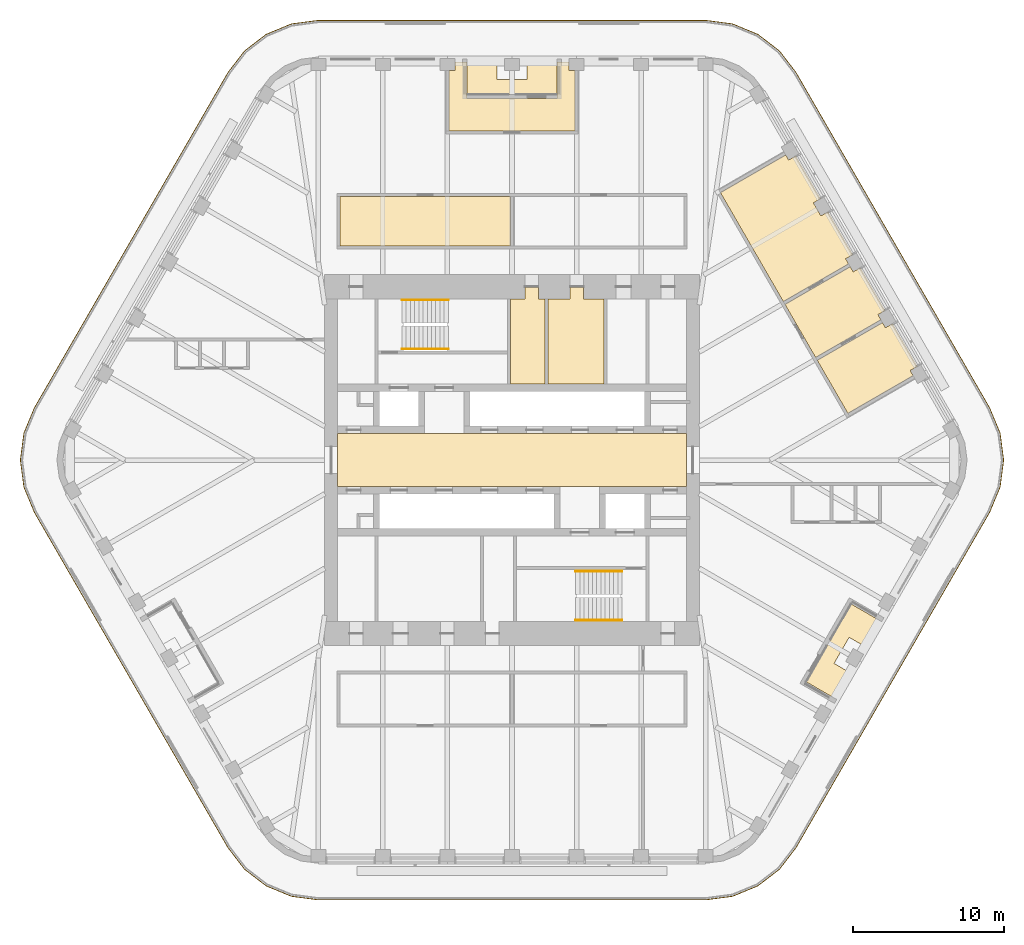
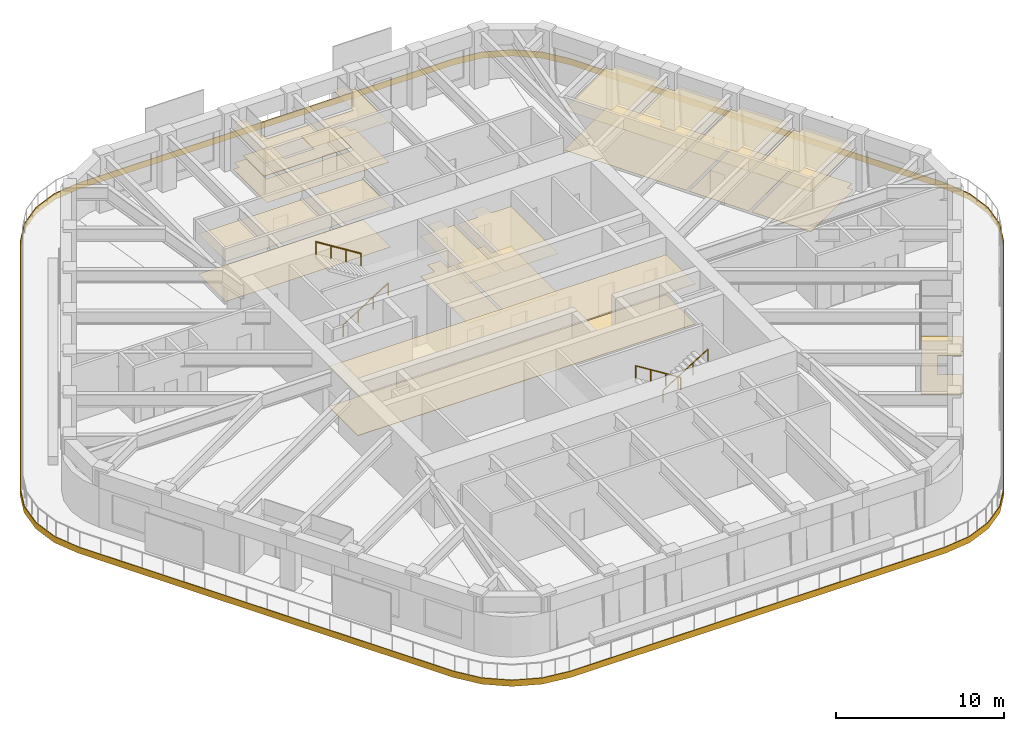
# One storey, part 18 of 19: 11 coverings, 4 railings.
"""IFC4 building model written with IfcOpenShell, lengths in metres."""

from ifc_helpers import new_model, si_unit, direction, frame, origin, origin_2d, place, context, subcontext, project, spatial, polyline, circle, outline, extrude, material, layer, layer_set, type_object, element, save


model = new_model("IFC4")

# Units and contexts
model_context = context("Model", 3, precision=1e-05, world=origin(), true_north=direction((0.0, 1.0)))
body_context = subcontext(model_context, "Body", "Model", "MODEL_VIEW")
ifc_project = project(units=[si_unit("LENGTHUNIT", "METRE"), si_unit("AREAUNIT", "SQUARE_METRE"), si_unit("VOLUMEUNIT", "CUBIC_METRE"), si_unit("PLANEANGLEUNIT", "RADIAN"), si_unit("MASSUNIT", "GRAM", prefix="KILO")], contexts=[model_context])

# Site, building, storey
site_placement = place(None, origin())
site = spatial("IfcSite", under=ifc_project, at=site_placement, CompositionType="ELEMENT")
building_placement = place(site_placement, origin())
building = spatial("IfcBuilding", under=site, at=building_placement, Name="Tarfa Lantern Tower", CompositionType="ELEMENT")
storey_placement = place(building_placement, frame((0.0, 0.0, 345.10009765625)))
storey = spatial("IfcBuildingStorey", under=building, at=storey_placement, Name="L78", CompositionType="ELEMENT", Elevation=345.10009765625)

# Coverings
ifc_material_1 = material(Name="Mineral fibre acoustic tile on suspension grid", Category="finish")
ifc_layer_1 = layer(ifc_material_1, 0.02001953125)
ifc_layer_set_1 = layer_set([ifc_layer_1], Name="CL1 ACOUSTIC TILE CEILING 20")
covering_type_1 = type_object("IfcCoveringType", Name="CL1 ACOUSTIC TILE CEILING 20", PredefinedType="CEILING", material=ifc_layer_set_1)
covering_1_placement = place(storey_placement, frame((0.0, 0.0, 2.89990234375)))
element("IfcCovering", 1, at=covering_1_placement, inside=storey, type_object=covering_type_1, Name="Ceiling L78 CL1", PredefinedType="CEILING", context=body_context, shape_type="SweptSolid", body=[
    extrude(outline(polyline([(18.106689453125, 10.33837890625), (22.436767578125, 12.83837890625), (22.63671875, 12.491943359375), (23.113037109375, 12.76708984375), (24.754150390625, 9.924560546875), (24.27783203125, 9.649658203125), (24.477783203125, 9.30322265625), (20.147705078125, 6.80322265625), (18.106689453125, 10.33837890625)])), origin(), (0.0, 0.0, 1.0), 0.02001953125),
    extrude(outline(polyline([(13.82470703125, 17.755126953125), (18.15478515625, 20.255126953125), (18.354736328125, 19.90869140625), (18.8310546875, 20.18359375), (20.47216796875, 17.34130859375), (19.995849609375, 17.06640625), (20.495849609375, 16.200439453125), (20.97216796875, 16.475341796875), (22.613037109375, 13.633056640625), (22.13671875, 13.35791015625), (22.336669921875, 13.01171875), (18.006591796875, 10.51171875), (13.82470703125, 17.755126953125)])), origin(), (0.0, 0.0, 1.0), 0.02001953125),
    extrude(outline(polyline([(-11.39990234375, 17.5), (-0.10009765625, 17.5), (-0.10009765625, 14.199951171875), (-11.39990234375, 14.199951171875), (-11.39990234375, 17.5)])), origin(), (0.0, 0.0, 1.0), 0.02001953125),
    extrude(outline(polyline([(4.18212890625, 21.85009765625), (-4.18212890625, 21.85009765625), (-4.18212890625, 25.85009765625), (-3.781982421875, 25.85009765625), (-3.781982421875, 26.39990234375), (-2.98193359375, 26.39990234375), (-2.98193359375, 24.0), (2.98193359375, 24.0), (2.98193359375, 26.39990234375), (3.781982421875, 26.39990234375), (3.781982421875, 25.85009765625), (4.18212890625, 25.85009765625), (4.18212890625, 21.85009765625)])), origin(), (0.0, 0.0, 1.0), 0.02001953125),
    extrude(outline(polyline([(20.24755859375, 6.630126953125), (24.577880859375, 9.130126953125), (24.77783203125, 8.78369140625), (25.254150390625, 9.05859375), (26.89501953125, 6.21630859375), (26.418701171875, 5.94140625), (26.61865234375, 5.594970703125), (22.28857421875, 3.094970703125), (20.24755859375, 6.630126953125)])), origin(), (0.0, 0.0, 1.0), 0.02001953125),
])
ifc_material_2 = material(Name="Moisture-resistant plasterboard", Category="finish")
ifc_layer_2 = layer(ifc_material_2, 0.014892578125)
ifc_layer_set_2 = layer_set([ifc_layer_2], Name="CL2 MOISTURE-RESISTANT PLASTERBOARD CEILING 15")
covering_type_2 = type_object("IfcCoveringType", Name="CL2 MOISTURE-RESISTANT PLASTERBOARD CEILING 15", PredefinedType="CEILING", material=ifc_layer_set_2)
covering_2_placement = place(storey_placement, frame((0.0, 0.0, 2.89990234375)))
element("IfcCovering", 2, at=covering_2_placement, inside=storey, type_object=covering_type_2, Name="Ceiling L78-05", PredefinedType="CEILING", context=body_context, shape_type="SweptSolid", body=[
    extrude(outline(polyline([(0.85009765625, 10.699951171875), (-0.10009765625, 10.699951171875), (-0.10009765625, 5.050048828125), (2.199951171875, 5.050048828125), (2.199951171875, 10.699951171875), (1.75, 10.699951171875), (1.75, 11.5), (0.85009765625, 11.5), (0.85009765625, 10.699951171875)])), origin(), (0.0, 0.0, 1.0), 0.014892578125),
])
covering_3_placement = place(storey_placement, frame((0.0, 0.0, 2.89990234375)))
element("IfcCovering", 3, at=covering_3_placement, inside=storey, type_object=covering_type_2, Name="Ceiling L78-06", PredefinedType="CEILING", context=body_context, shape_type="SweptSolid", body=[
    extrude(outline(polyline([(2.39990234375, 5.050048828125), (6.10009765625, 5.050048828125), (6.10009765625, 10.699951171875), (4.75, 10.699951171875), (4.75, 11.5), (3.85009765625, 11.5), (3.85009765625, 10.699951171875), (2.39990234375, 10.699951171875), (2.39990234375, 5.050048828125)])), origin(), (0.0, 0.0, 1.0), 0.014892578125),
])
ifc_material_3 = material(Name="Powder-coated aluminium panel", Category="aluminium")
ifc_layer_3 = layer(ifc_material_3, 0.030029296875)
ifc_layer_set_3 = layer_set([ifc_layer_3], Name="CL3 METAL PANEL CEILING 30")
covering_type_3 = type_object("IfcCoveringType", Name="CL3 METAL PANEL CEILING 30", PredefinedType="CEILING", material=ifc_layer_set_3)
covering_4_placement = place(storey_placement, frame((0.0, 0.0, 2.89990234375)))
element("IfcCovering", 4, at=covering_4_placement, inside=storey, type_object=covering_type_3, Name="Ceiling L78-01", PredefinedType="CEILING", context=body_context, shape_type="SweptSolid", body=[
    extrude(outline(polyline([(-11.574951171875, -1.75), (11.574951171875, -1.75), (11.574951171875, 1.75), (-11.574951171875, 1.75), (-11.574951171875, -1.75)])), origin(), (0.0, 0.0, 1.0), 0.030029296875),
])
ifc_material_4 = material(Name="Nylon carpet tile", Category="finish")
ifc_layer_4 = layer(ifc_material_4, 0.010009765625)
ifc_layer_set_4 = layer_set([ifc_layer_4], Name="FL1 CARPET TILE 10")
covering_type_4 = type_object("IfcCoveringType", Name="FL1 CARPET TILE 10", PredefinedType="FLOORING", material=ifc_layer_set_4)
covering_5_placement = place(storey_placement, origin())
element("IfcCovering", 5, at=covering_5_placement, inside=storey, type_object=covering_type_4, Name="Floor finish L78 FL1", PredefinedType="FLOORING", context=body_context, shape_type="SweptSolid", body=[
    extrude(outline(polyline([(18.106689453125, 10.33837890625), (22.436767578125, 12.83837890625), (22.63671875, 12.491943359375), (23.113037109375, 12.76708984375), (24.754150390625, 9.924560546875), (24.27783203125, 9.649658203125), (24.477783203125, 9.30322265625), (20.147705078125, 6.80322265625), (18.106689453125, 10.33837890625)])), origin(), (0.0, 0.0, 1.0), 0.010009765625),
    extrude(outline(polyline([(13.82470703125, 17.755126953125), (18.15478515625, 20.255126953125), (18.354736328125, 19.90869140625), (18.8310546875, 20.18359375), (20.47216796875, 17.34130859375), (19.995849609375, 17.06640625), (20.495849609375, 16.200439453125), (20.97216796875, 16.475341796875), (22.613037109375, 13.633056640625), (22.13671875, 13.35791015625), (22.336669921875, 13.01171875), (18.006591796875, 10.51171875), (13.82470703125, 17.755126953125)])), origin(), (0.0, 0.0, 1.0), 0.010009765625),
    extrude(outline(polyline([(-11.39990234375, 17.5), (-0.10009765625, 17.5), (-0.10009765625, 14.199951171875), (-11.39990234375, 14.199951171875), (-11.39990234375, 17.5)])), origin(), (0.0, 0.0, 1.0), 0.010009765625),
    extrude(outline(polyline([(4.18212890625, 21.85009765625), (-4.18212890625, 21.85009765625), (-4.18212890625, 25.85009765625), (-3.781982421875, 25.85009765625), (-3.781982421875, 26.39990234375), (-2.98193359375, 26.39990234375), (-2.98193359375, 24.0), (2.98193359375, 24.0), (2.98193359375, 26.39990234375), (3.781982421875, 26.39990234375), (3.781982421875, 25.85009765625), (4.18212890625, 25.85009765625), (4.18212890625, 21.85009765625)])), origin(), (0.0, 0.0, 1.0), 0.010009765625),
    extrude(outline(polyline([(20.24755859375, 6.630126953125), (24.577880859375, 9.130126953125), (24.77783203125, 8.78369140625), (25.254150390625, 9.05859375), (26.89501953125, 6.21630859375), (26.418701171875, 5.94140625), (26.61865234375, 5.594970703125), (22.28857421875, 3.094970703125), (20.24755859375, 6.630126953125)])), origin(), (0.0, 0.0, 1.0), 0.010009765625),
])
ifc_material_5 = material(Name="Honed limestone flooring", Category="masonry")
ifc_layer_5 = layer(ifc_material_5, 0.030029296875)
ifc_layer_set_5 = layer_set([ifc_layer_5], Name="FL2 STONE FLOORING 30")
covering_type_5 = type_object("IfcCoveringType", Name="FL2 STONE FLOORING 30", PredefinedType="FLOORING", material=ifc_layer_set_5)
covering_6_placement = place(storey_placement, origin())
element("IfcCovering", 6, at=covering_6_placement, inside=storey, type_object=covering_type_5, Name="Floor finish L78-01", PredefinedType="FLOORING", context=body_context, shape_type="SweptSolid", body=[
    extrude(outline(polyline([(-11.574951171875, -1.75), (11.574951171875, -1.75), (11.574951171875, 1.75), (-11.574951171875, 1.75), (-11.574951171875, -1.75)])), origin(), (0.0, 0.0, 1.0), 0.02978515625),
])
ifc_material_6 = material(Name="Porcelain floor tile", Category="finish")
ifc_layer_6 = layer(ifc_material_6, 0.011962890625)
ifc_layer_set_6 = layer_set([ifc_layer_6], Name="FL3 CERAMIC TILE 12")
covering_type_6 = type_object("IfcCoveringType", Name="FL3 CERAMIC TILE 12", PredefinedType="FLOORING", material=ifc_layer_set_6)
covering_7_placement = place(storey_placement, origin())
element("IfcCovering", 7, at=covering_7_placement, inside=storey, type_object=covering_type_6, Name="Floor finish L78-05", PredefinedType="FLOORING", context=body_context, shape_type="SweptSolid", body=[
    extrude(outline(polyline([(0.85009765625, 10.699951171875), (-0.10009765625, 10.699951171875), (-0.10009765625, 5.050048828125), (2.199951171875, 5.050048828125), (2.199951171875, 10.699951171875), (1.75, 10.699951171875), (1.75, 11.5), (0.85009765625, 11.5), (0.85009765625, 10.699951171875)])), origin(), (0.0, 0.0, 1.0), 0.011962890625),
])
covering_8_placement = place(storey_placement, origin())
element("IfcCovering", 8, at=covering_8_placement, inside=storey, type_object=covering_type_6, Name="Floor finish L78-06", PredefinedType="FLOORING", context=body_context, shape_type="SweptSolid", body=[
    extrude(outline(polyline([(2.39990234375, 5.050048828125), (6.10009765625, 5.050048828125), (6.10009765625, 10.699951171875), (4.75, 10.699951171875), (4.75, 11.5), (3.85009765625, 11.5), (3.85009765625, 10.699951171875), (2.39990234375, 10.699951171875), (2.39990234375, 5.050048828125)])), origin(), (0.0, 0.0, 1.0), 0.011962890625),
])

# Railings
ifc_material_7 = material(Name="Stainless steel", Category="steel")
railing_type = type_object("IfcRailingType", Name="HR1 HANDRAIL 900", PredefinedType="HANDRAIL", material=ifc_material_7)
railing_1_placement = place(storey_placement, frame((-7.300048828125, 7.3798828125, 0.1748046875)))
element("IfcRailing", 9, at=railing_1_placement, inside=storey, type_object=railing_type, Name="Handrail 1", PredefinedType="HANDRAIL", context=body_context, shape_type="SweptSolid", body=[
    extrude(circle(Radius=0.02392578125, at=origin_2d()), frame((0.0, 0.0, 0.8759765625), z_axis=(0.847998304005, 0.0, 0.529998940003), x_axis=(0.0, 1.0, 0.0)), (0.0, 0.0, 1.0), 3.632080078125),
    extrude(circle(Radius=0.02099609375, at=origin_2d()), frame((0.0, 0.0, 0.0), z_axis=(0.0, 0.0, 1.0), x_axis=(0.0, 1.0, 0.0)), (0.0, 0.0, 1.0), 0.851806640625),
    extrude(circle(Radius=0.02099609375, at=origin_2d()), frame((1.026611328125, 0.0, 0.6416015625), z_axis=(0.0, 0.0, 1.0), x_axis=(0.0, 1.0, 0.0)), (0.0, 0.0, 1.0), 0.851806640625),
    extrude(circle(Radius=0.02099609375, at=origin_2d()), frame((2.053466796875, 0.0, 1.283447265625), z_axis=(0.0, 0.0, 1.0), x_axis=(0.0, 1.0, 0.0)), (0.0, 0.0, 1.0), 0.851806640625),
    extrude(circle(Radius=0.02099609375, at=origin_2d()), frame((3.080078125, 0.0, 1.925048828125), z_axis=(0.0, 0.0, 1.0), x_axis=(0.0, 1.0, 0.0)), (0.0, 0.0, 1.0), 0.851806640625),
])
for number, where, name in (
    (10, (-4.219970703125, 10.6201171875, 2.27490234375), "Handrail 2"),
    (11, (7.300048828125, -7.3798828125, 0.1748046875), "Handrail 1"),
):
    element("IfcRailing", number, at=place(storey_placement, frame(where)), inside=storey, type_object=railing_type, Name=name, PredefinedType="HANDRAIL", context=body_context, shape_type="SweptSolid", body=[
        extrude(circle(Radius=0.02392578125, at=origin_2d()), frame((0.0, 0.0, 0.8759765625), z_axis=(-0.847998304005, 0.0, 0.529998940003), x_axis=(0.0, -1.0, 0.0)), (0.0, 0.0, 1.0), 3.632080078125),
        extrude(circle(Radius=0.02099609375, at=origin_2d()), frame((0.0, 0.0, 0.0), z_axis=(0.0, 0.0, 1.0), x_axis=(0.0, -1.0, 0.0)), (0.0, 0.0, 1.0), 0.851806640625),
        extrude(circle(Radius=0.02099609375, at=origin_2d()), frame((-1.026611328125, 0.0, 0.6416015625), z_axis=(0.0, 0.0, 1.0), x_axis=(0.0, -1.0, 0.0)), (0.0, 0.0, 1.0), 0.851806640625),
        extrude(circle(Radius=0.02099609375, at=origin_2d()), frame((-2.053466796875, 0.0, 1.283447265625), z_axis=(0.0, 0.0, 1.0), x_axis=(0.0, -1.0, 0.0)), (0.0, 0.0, 1.0), 0.851806640625),
        extrude(circle(Radius=0.02099609375, at=origin_2d()), frame((-3.080078125, 0.0, 1.925048828125), z_axis=(0.0, 0.0, 1.0), x_axis=(0.0, -1.0, 0.0)), (0.0, 0.0, 1.0), 0.851806640625),
    ])
railing_2_placement = place(storey_placement, frame((4.219970703125, -10.6201171875, 2.27490234375)))
element("IfcRailing", 12, at=railing_2_placement, inside=storey, type_object=railing_type, Name="Handrail 2", PredefinedType="HANDRAIL", context=body_context, shape_type="SweptSolid", body=[
    extrude(circle(Radius=0.02392578125, at=origin_2d()), frame((0.0, 0.0, 0.8759765625), z_axis=(0.847998304005, 0.0, 0.529998940003), x_axis=(0.0, 1.0, 0.0)), (0.0, 0.0, 1.0), 3.632080078125),
    extrude(circle(Radius=0.02099609375, at=origin_2d()), frame((0.0, 0.0, 0.0), z_axis=(0.0, 0.0, 1.0), x_axis=(0.0, 1.0, 0.0)), (0.0, 0.0, 1.0), 0.851806640625),
    extrude(circle(Radius=0.02099609375, at=origin_2d()), frame((1.026611328125, 0.0, 0.6416015625), z_axis=(0.0, 0.0, 1.0), x_axis=(0.0, 1.0, 0.0)), (0.0, 0.0, 1.0), 0.851806640625),
    extrude(circle(Radius=0.02099609375, at=origin_2d()), frame((2.053466796875, 0.0, 1.283447265625), z_axis=(0.0, 0.0, 1.0), x_axis=(0.0, 1.0, 0.0)), (0.0, 0.0, 1.0), 0.851806640625),
    extrude(circle(Radius=0.02099609375, at=origin_2d()), frame((3.080078125, 0.0, 1.925048828125), z_axis=(0.0, 0.0, 1.0), x_axis=(0.0, 1.0, 0.0)), (0.0, 0.0, 1.0), 0.851806640625),
])

# Coverings
ifc_material_8 = material(Name="Porcelain pavers on pedestals", Category="ceramic")
ifc_layer_7 = layer(ifc_material_8, 0.0400390625)
ifc_layer_set_7 = layer_set([ifc_layer_7], Name="LP1 LOGGIA PAVING 40")
covering_type_7 = type_object("IfcCoveringType", Name="LP1 LOGGIA PAVING 40", PredefinedType="FLOORING", material=ifc_layer_set_7)
covering_9_placement = place(storey_placement, origin())
element("IfcCovering", 13, at=covering_9_placement, inside=storey, type_object=covering_type_7, Name="Terrace paving N", PredefinedType="FLOORING", context=body_context, shape_type="SweptSolid", body=[
    extrude(outline(polyline([(2.98193359375, 26.75), (2.98193359375, 24.27001953125), (-2.98193359375, 24.27001953125), (-2.98193359375, 26.75), (-1.0, 26.75), (-1.0, 25.25), (1.0, 25.25), (1.0, 26.75), (2.98193359375, 26.75)])), origin(), (0.0, 0.0, 1.0), 0.039794921875),
])
covering_10_placement = place(storey_placement, origin())
element("IfcCovering", 14, at=covering_10_placement, inside=storey, type_object=covering_type_7, Name="Terrace paving SE", PredefinedType="FLOORING", context=body_context, shape_type="SweptSolid", body=[
    extrude(outline(polyline([(21.67529296875, -15.95751953125), (19.52734375, -14.717529296875), (22.509521484375, -9.552490234375), (24.6572265625, -10.79248046875), (23.666259765625, -12.509033203125), (22.3671875, -11.759033203125), (21.3671875, -13.490966796875), (22.666259765625, -14.240966796875), (21.67529296875, -15.95751953125)])), origin(), (0.0, 0.0, 1.0), 0.039794921875),
])
ifc_material_9 = material(Name="Limestone cladding on brackets", Category="masonry")
ifc_layer_8 = layer(ifc_material_9, 0.050048828125)
ifc_layer_set_8 = layer_set([ifc_layer_8], Name="SB1 STONE BAND CLADDING 50")
covering_type_8 = type_object("IfcCoveringType", Name="SB1 STONE BAND CLADDING 50", PredefinedType="CLADDING", material=ifc_layer_set_8)
covering_11_placement = place(storey_placement, frame((0.0, 0.0, -0.400146484375)))
element("IfcCovering", 15, at=covering_11_placement, inside=storey, type_object=covering_type_8, Name="Stone band", PredefinedType="CLADDING", context=body_context, shape_type="SweptSolid", body=[
    extrude(outline(polyline([(31.7109375, 3.47509765625), (18.864990234375, 25.72509765625), (17.760498046875, 27.164306640625), (16.321044921875, 28.268798828125), (14.644775390625, 28.963134765625), (12.845947265625, 29.199951171875), (-12.845947265625, 29.199951171875), (-14.644775390625, 28.963134765625), (-16.321044921875, 28.268798828125), (-17.760498046875, 27.164306640625), (-18.864990234375, 25.72509765625), (-31.7109375, 3.47509765625), (-32.4052734375, 1.798828125), (-32.64208984375, 0.0), (-32.4052734375, -1.798828125), (-31.7109375, -3.47509765625), (-18.864990234375, -25.72509765625), (-17.760498046875, -27.164306640625), (-16.321044921875, -28.268798828125), (-14.644775390625, -28.963134765625), (-12.845947265625, -29.199951171875), (12.845947265625, -29.199951171875), (14.644775390625, -28.963134765625), (16.321044921875, -28.268798828125), (17.760498046875, -27.164306640625), (18.864990234375, -25.72509765625), (31.7109375, -3.47509765625), (32.4052734375, -1.798828125), (32.64208984375, 0.0), (32.4052734375, 1.798828125), (31.7109375, 3.47509765625)]), holes=[polyline([(31.667724609375, 3.449951171875), (18.821533203125, 25.699951171875), (17.72509765625, 27.129150390625), (16.296142578125, 28.2255859375), (14.6318359375, 28.914794921875), (12.845947265625, 29.14990234375), (-12.845947265625, 29.14990234375), (-14.6318359375, 28.914794921875), (-16.296142578125, 28.2255859375), (-17.72509765625, 27.129150390625), (-18.821533203125, 25.699951171875), (-31.667724609375, 3.449951171875), (-32.35693359375, 1.785888671875), (-32.592041015625, 0.0), (-32.35693359375, -1.785888671875), (-31.667724609375, -3.449951171875), (-18.821533203125, -25.699951171875), (-17.72509765625, -27.129150390625), (-16.296142578125, -28.2255859375), (-14.6318359375, -28.914794921875), (-12.845947265625, -29.14990234375), (12.845947265625, -29.14990234375), (14.6318359375, -28.914794921875), (16.296142578125, -28.2255859375), (17.72509765625, -27.129150390625), (18.821533203125, -25.699951171875), (31.667724609375, -3.449951171875), (32.35693359375, -1.785888671875), (32.592041015625, 0.0), (32.35693359375, 1.785888671875), (31.667724609375, 3.449951171875)])]), origin(), (0.0, 0.0, 1.0), 0.449951171875),
])

save(model, "model.ifc")
